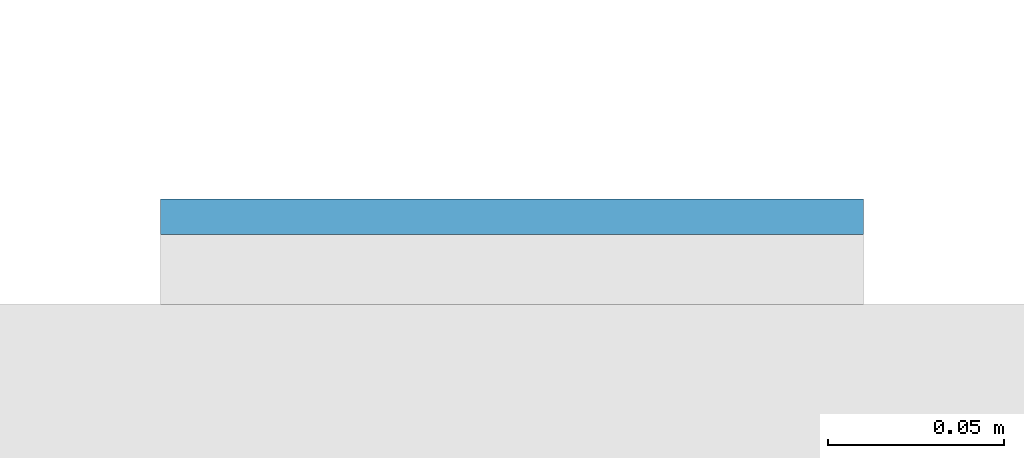
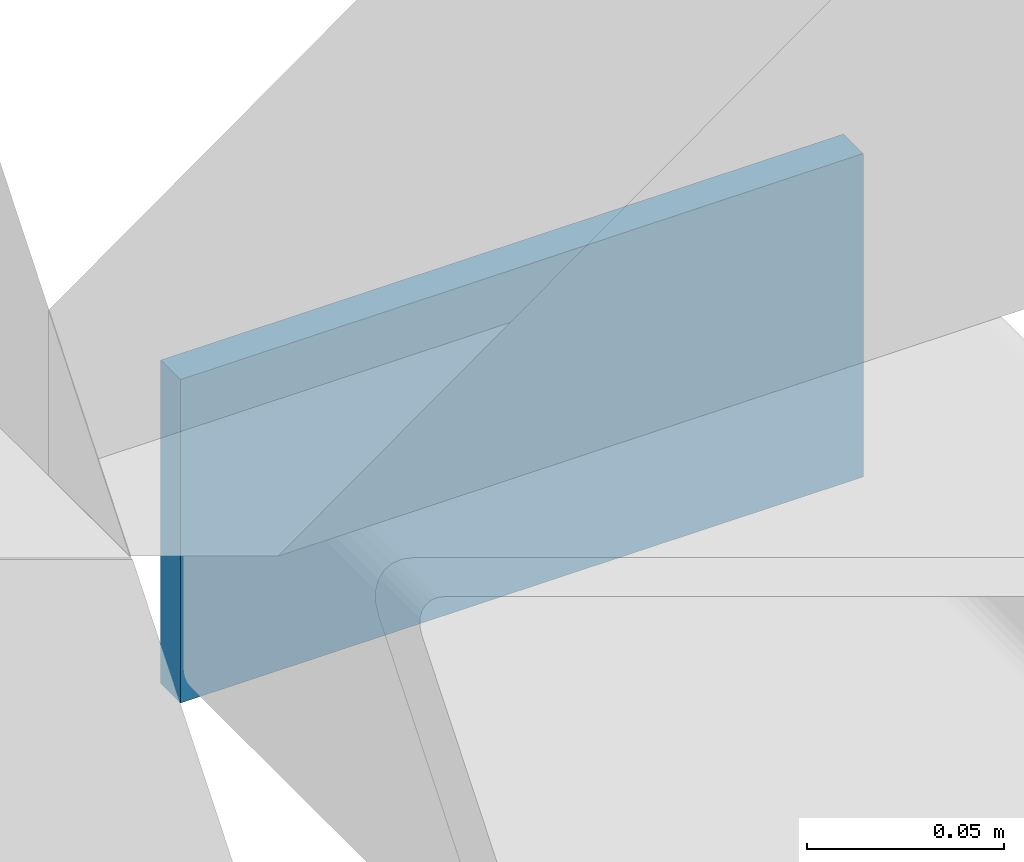
# One storey, part 11 of 20: 1 plate.
"""IFC4 building model written with IfcOpenShell, lengths in metres."""

from ifc_helpers import new_model, si_unit, direction, frame, origin, origin_2d, place, context, subcontext, project, spatial, rectangle, extrude, material, layer, layer_set, type_object, element, save


model = new_model("IFC4")

# Units and contexts
model_context = context("Model", 3, precision=1e-05, world=origin(), true_north=direction((0.0, 1.0)))
body_context = subcontext(model_context, "Body", "Model", "MODEL_VIEW")
ifc_project = project(units=[si_unit("LENGTHUNIT", "METRE"), si_unit("AREAUNIT", "SQUARE_METRE"), si_unit("VOLUMEUNIT", "CUBIC_METRE"), si_unit("PLANEANGLEUNIT", "RADIAN"), si_unit("MASSUNIT", "GRAM", prefix="KILO")], contexts=[model_context])

# Site, building, storey
site_placement = place(None, origin())
site = spatial("IfcSite", under=ifc_project, at=site_placement, CompositionType="ELEMENT")
building_placement = place(site_placement, origin())
building = spatial("IfcBuilding", under=site, at=building_placement, Name="Cleftline Residences", CompositionType="ELEMENT")
storey_placement = place(building_placement, frame((0.0, 0.0, 87.199951171875)))
storey = spatial("IfcBuildingStorey", under=building, at=storey_placement, Name="L22", CompositionType="ELEMENT", Elevation=87.199951171875)

# Plate
ifc_material = material(Name="Steel S355, hot-dip galvanised", Category="steel")
ifc_layer = layer(ifc_material, 0.010009765625)
ifc_layer_set = layer_set([ifc_layer], Name="BAGUETTE CARRIER END PLATE 200X100X10")
plate_type = type_object("IfcPlateType", Name="BAGUETTE CARRIER END PLATE 200X100X10", PredefinedType="USERDEFINED", material=ifc_layer_set)
plate_placement = place(storey_placement, frame((66.85009765625, 44.304931640625, -0.10009765625), z_axis=(0.0, 0.0, 1.0), x_axis=(1.0, 0.0, 0.0)))
element("IfcPlate", 1, at=plate_placement, inside=storey, type_object=plate_type, Name="Baguette carrier end plate", ObjectType="BAGUETTE CARRIER END PLATE", PredefinedType="USERDEFINED", context=body_context, shape_type="SweptSolid", body=[
    extrude(rectangle(XDim=0.199951171875, YDim=0.010009765625, at=origin_2d()), origin(), (0.0, 0.0, 1.0), 0.10009765625),
])

save(model, "model.ifc")
